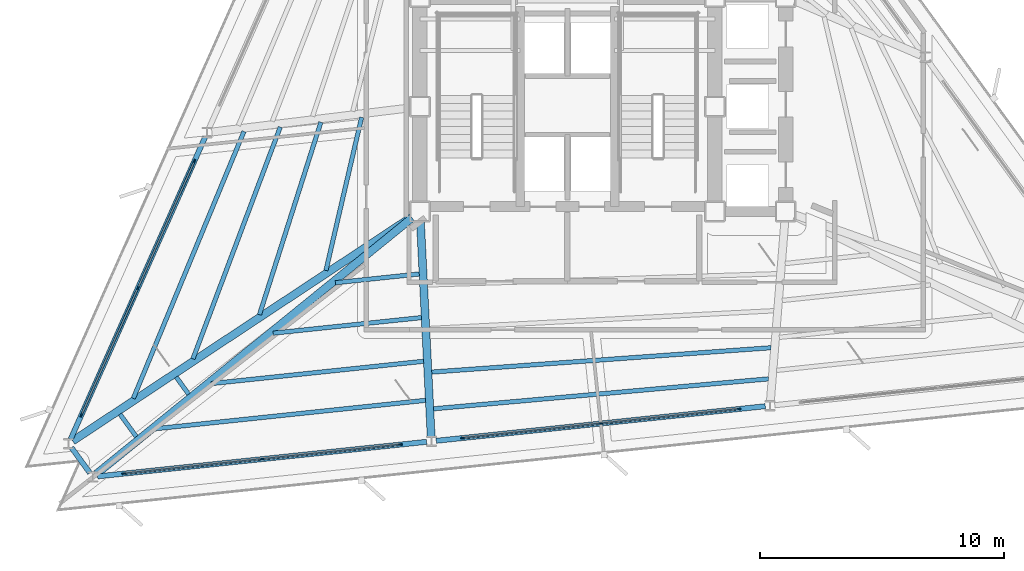
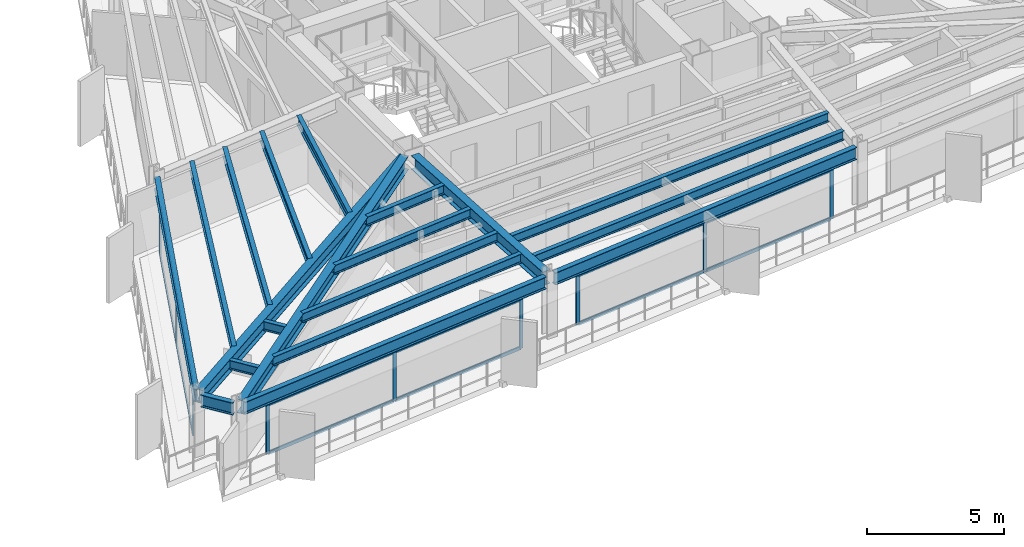
# One storey, part 2 of 12: 21 members, 19 beams, 3 elements without a shape of their own.
"""IFC4 building model written with IfcOpenShell, lengths in metres."""

from ifc_helpers import new_model, si_unit, direction, frame, origin, origin_2d, place, context, subcontext, project, spatial, rectangle, i_section, extrude, material, layer, layer_set, material_profile, profile_set, type_object, element, aggregate, save


model = new_model("IFC4")

# Units and contexts
model_context = context("Model", 3, precision=1e-05, world=origin(), true_north=direction((0.0, 1.0)))
body_context = subcontext(model_context, "Body", "Model", "MODEL_VIEW")
ifc_project = project(units=[si_unit("LENGTHUNIT", "METRE"), si_unit("AREAUNIT", "SQUARE_METRE"), si_unit("VOLUMEUNIT", "CUBIC_METRE"), si_unit("PLANEANGLEUNIT", "RADIAN"), si_unit("MASSUNIT", "GRAM", prefix="KILO")], contexts=[model_context])

# Site, building, storey
site_placement = place(None, origin())
site = spatial("IfcSite", under=ifc_project, at=site_placement, CompositionType="ELEMENT")
building_placement = place(site_placement, origin())
building = spatial("IfcBuilding", under=site, at=building_placement, Name="Rocaltana Carrier Exchange", CompositionType="ELEMENT")
storey_placement = place(building_placement, frame((0.0, 0.0, 110.719970703125)))
storey = spatial("IfcBuildingStorey", under=building, at=storey_placement, Name="L34", CompositionType="ELEMENT", Elevation=110.719970703125)

# Curtain wall, members
ifc_material_1 = material(Name="Aluminium 6063-T6", Category="aluminium")
ifc_layer = layer(ifc_material_1, 0.14990234375)
ifc_layer_set = layer_set([ifc_layer], Name="Aluminium 6063-T6")
curtain_wall_type = type_object("IfcCurtainWallType", Name="Mid-Tower Unitised Curtain Wall CW-03", PredefinedType="NOTDEFINED", material=ifc_layer_set)
curtain_wall_1_placement = place(storey_placement, origin())
curtain_wall_1 = element("IfcCurtainWall", 1, at=curtain_wall_1_placement, inside=storey, type_object=curtain_wall_type, Name="L34 CW-03 Run CW-L34-F2S3", PredefinedType="NOTDEFINED")
ifc_material_2 = material(Name="Aluminium 6063-T6", Category="aluminium")
ifc_material_profile_1 = material_profile(ifc_material_2, rectangle(XDim=0.06005859375, YDim=0.14990234375, at=origin_2d()), Name="AL-60X150")
ifc_profile_set_1 = profile_set([ifc_material_profile_1], Name="Aluminium 6063-T6")
member_type_1 = type_object("IfcMemberType", Name="CW-03 Mullion AL-60X150", PredefinedType="MULLION", material=ifc_profile_set_1)
member_1_placement = place(storey_placement, frame((-15.299560546875, -2.2333984375, 0.0), z_axis=(0.0, 0.0, 1.0), x_axis=(0.913547031517, -0.406733108077, 0.0)))
member_1 = element("IfcMember", 2, at=member_1_placement, type_object=member_type_1, Name="CW-03 mullion 1", PredefinedType="MULLION", context=body_context, shape_type="SweptSolid", body=[
    extrude(rectangle(XDim=0.06005859375, YDim=0.14990234375, at=origin_2d()), origin(), (0.0, 0.0, 1.0), 2.218017578125),
])
member_2_placement = place(storey_placement, frame((-17.619140625, -7.44384765625, 0.0), z_axis=(0.0, 0.0, 1.0), x_axis=(0.913547031517, -0.406733108077, 0.0)))
member_2 = element("IfcMember", 3, at=member_2_placement, type_object=member_type_1, Name="CW-03 mullion 2", PredefinedType="MULLION", context=body_context, shape_type="SweptSolid", body=[
    extrude(rectangle(XDim=0.06005859375, YDim=0.14990234375, at=origin_2d()), origin(), (0.0, 0.0, 1.0), 2.218017578125),
])
member_3_placement = place(storey_placement, frame((-19.93896484375, -12.654052734375, 0.0), z_axis=(0.0, 0.0, 1.0), x_axis=(0.913547031517, -0.406733108077, 0.0)))
member_3 = element("IfcMember", 4, at=member_3_placement, type_object=member_type_1, Name="CW-03 mullion 3", PredefinedType="MULLION", context=body_context, shape_type="SweptSolid", body=[
    extrude(rectangle(XDim=0.06005859375, YDim=0.14990234375, at=origin_2d()), origin(), (0.0, 0.0, 1.0), 2.218017578125),
])

curtain_wall_2_placement = place(storey_placement, origin())
curtain_wall_2 = element("IfcCurtainWall", 5, at=curtain_wall_2_placement, inside=storey, type_object=curtain_wall_type, Name="L34 CW-03 Run CW-L34-F3S1", PredefinedType="NOTDEFINED")
member_4_placement = place(storey_placement, frame((-18.196044921875, -15.052734375, 0.0), z_axis=(0.0, 0.0, 1.0), x_axis=(-0.104521806959, 0.994522594952, 0.0)))
member_4 = element("IfcMember", 6, at=member_4_placement, type_object=member_type_1, Name="CW-03 mullion 1", PredefinedType="MULLION", context=body_context, shape_type="SweptSolid", body=[
    extrude(rectangle(XDim=0.06005859375, YDim=0.14990234375, at=origin_2d()), origin(), (0.0, 0.0, 1.0), 2.218017578125),
])
member_5_placement = place(storey_placement, frame((-12.524169921875, -14.45654296875, 0.0), z_axis=(0.0, 0.0, 1.0), x_axis=(-0.104521806959, 0.994522594952, 0.0)))
member_5 = element("IfcMember", 7, at=member_5_placement, type_object=member_type_1, Name="CW-03 mullion 2", PredefinedType="MULLION", context=body_context, shape_type="SweptSolid", body=[
    extrude(rectangle(XDim=0.06005859375, YDim=0.14990234375, at=origin_2d()), origin(), (0.0, 0.0, 1.0), 2.218017578125),
])
member_6_placement = place(storey_placement, frame((-6.85205078125, -13.860595703125, 0.0), z_axis=(0.0, 0.0, 1.0), x_axis=(-0.104521806959, 0.994522594952, 0.0)))
member_6 = element("IfcMember", 8, at=member_6_placement, type_object=member_type_1, Name="CW-03 mullion 3", PredefinedType="MULLION", context=body_context, shape_type="SweptSolid", body=[
    extrude(rectangle(XDim=0.06005859375, YDim=0.14990234375, at=origin_2d()), origin(), (0.0, 0.0, 1.0), 2.218017578125),
])

curtain_wall_3_placement = place(storey_placement, origin())
curtain_wall_3 = element("IfcCurtainWall", 9, at=curtain_wall_3_placement, inside=storey, type_object=curtain_wall_type, Name="L34 CW-03 Run CW-L34-F3S2", PredefinedType="NOTDEFINED")
member_7_placement = place(storey_placement, frame((-4.30615234375, -13.5927734375, 0.0), z_axis=(0.0, 0.0, 1.0), x_axis=(-0.104529526113, 0.994521783658, 0.0)))
member_7 = element("IfcMember", 10, at=member_7_placement, type_object=member_type_1, Name="CW-03 mullion 1", PredefinedType="MULLION", context=body_context, shape_type="SweptSolid", body=[
    extrude(rectangle(XDim=0.06005859375, YDim=0.14990234375, at=origin_2d()), origin(), (0.0, 0.0, 1.0), 2.218017578125),
])
member_8_placement = place(storey_placement, frame((1.365966796875, -12.99658203125, 0.0), z_axis=(0.0, 0.0, 1.0), x_axis=(-0.104529526113, 0.994521783658, 0.0)))
member_8 = element("IfcMember", 11, at=member_8_placement, type_object=member_type_1, Name="CW-03 mullion 2", PredefinedType="MULLION", context=body_context, shape_type="SweptSolid", body=[
    extrude(rectangle(XDim=0.06005859375, YDim=0.14990234375, at=origin_2d()), origin(), (0.0, 0.0, 1.0), 2.218017578125),
])
member_9_placement = place(storey_placement, frame((7.0380859375, -12.400634765625, 0.0), z_axis=(0.0, 0.0, 1.0), x_axis=(-0.104529526113, 0.994521783658, 0.0)))
member_9 = element("IfcMember", 12, at=member_9_placement, type_object=member_type_1, Name="CW-03 mullion 3", PredefinedType="MULLION", context=body_context, shape_type="SweptSolid", body=[
    extrude(rectangle(XDim=0.06005859375, YDim=0.14990234375, at=origin_2d()), origin(), (0.0, 0.0, 1.0), 2.218017578125),
])

# Member
ifc_material_3 = material(Name="Aluminium 6063-T6", Category="aluminium")
ifc_material_profile_2 = material_profile(ifc_material_3, rectangle(XDim=0.06005859375, YDim=0.14990234375, at=origin_2d()), Name="AL-60X150")
ifc_profile_set_2 = profile_set([ifc_material_profile_2], Name="Aluminium 6063-T6")
member_type_2 = type_object("IfcMemberType", Name="CW-03 Transom AL-60X150", PredefinedType="USERDEFINED", material=ifc_profile_set_2)
member_10_placement = place(storey_placement, frame((-15.311767578125, -2.260986328125, 0.030029296875), z_axis=(-0.406704359788, -0.913559830405, 0.0), x_axis=(0.913559830405, -0.406704359788, 0.0)))
member_10 = element("IfcMember", 13, at=member_10_placement, type_object=member_type_2, Name="CW-03 transom 1.1", ObjectType="TRANSOM", PredefinedType="USERDEFINED", context=body_context, shape_type="SweptSolid", body=[
    extrude(rectangle(XDim=0.06005859375, YDim=0.14990234375, at=origin_2d()), origin(), (0.0, 0.0, 1.0), 5.643310546875),
])

member_11_placement = place(storey_placement, frame((-15.311767578125, -2.260986328125, 2.18798828125), z_axis=(-0.406704359788, -0.913559830405, 0.0), x_axis=(0.913559830405, -0.406704359788, 0.0)))
member_11 = element("IfcMember", 14, at=member_11_placement, type_object=member_type_2, Name="CW-03 transom 1.2", ObjectType="TRANSOM", PredefinedType="USERDEFINED", context=body_context, shape_type="SweptSolid", body=[
    extrude(rectangle(XDim=0.06005859375, YDim=0.14990234375, at=origin_2d()), origin(), (0.0, 0.0, 1.0), 5.643310546875),
])

member_12_placement = place(storey_placement, frame((-17.63134765625, -7.47119140625, 0.030029296875), z_axis=(-0.406740464784, -0.913543756099, 0.0), x_axis=(0.913543756099, -0.406740464784, 0.0)))
member_12 = element("IfcMember", 15, at=member_12_placement, type_object=member_type_2, Name="CW-03 transom 2.1", ObjectType="TRANSOM", PredefinedType="USERDEFINED", context=body_context, shape_type="SweptSolid", body=[
    extrude(rectangle(XDim=0.06005859375, YDim=0.14990234375, at=origin_2d()), origin(), (0.0, 0.0, 1.0), 5.643310546875),
])

member_13_placement = place(storey_placement, frame((-17.63134765625, -7.47119140625, 2.18798828125), z_axis=(-0.406740464784, -0.913543756099, 0.0), x_axis=(0.913543756099, -0.406740464784, 0.0)))
member_13 = element("IfcMember", 16, at=member_13_placement, type_object=member_type_2, Name="CW-03 transom 2.2", ObjectType="TRANSOM", PredefinedType="USERDEFINED", context=body_context, shape_type="SweptSolid", body=[
    extrude(rectangle(XDim=0.06005859375, YDim=0.14990234375, at=origin_2d()), origin(), (0.0, 0.0, 1.0), 5.643310546875),
])

aggregate(curtain_wall_1, [member_1, member_2, member_3, member_10, member_11, member_12, member_13])

member_14_placement = place(storey_placement, frame((-18.166259765625, -15.049560546875, 0.030029296875), z_axis=(0.99452250772, 0.104522636969, 0.0), x_axis=(-0.104522636969, 0.99452250772, 0.0)))
member_14 = element("IfcMember", 17, at=member_14_placement, type_object=member_type_2, Name="CW-03 transom 1.1", ObjectType="TRANSOM", PredefinedType="USERDEFINED", context=body_context, shape_type="SweptSolid", body=[
    extrude(rectangle(XDim=0.06005859375, YDim=0.14990234375, at=origin_2d()), origin(), (0.0, 0.0, 1.0), 5.643310546875),
])

member_15_placement = place(storey_placement, frame((-18.166259765625, -15.049560546875, 2.18798828125), z_axis=(0.99452250772, 0.104522636969, 0.0), x_axis=(-0.104522636969, 0.99452250772, 0.0)))
member_15 = element("IfcMember", 18, at=member_15_placement, type_object=member_type_2, Name="CW-03 transom 1.2", ObjectType="TRANSOM", PredefinedType="USERDEFINED", context=body_context, shape_type="SweptSolid", body=[
    extrude(rectangle(XDim=0.06005859375, YDim=0.14990234375, at=origin_2d()), origin(), (0.0, 0.0, 1.0), 5.643310546875),
])

member_16_placement = place(storey_placement, frame((-12.494384765625, -14.45361328125, 0.030029296875), z_axis=(0.99452250772, 0.104522636969, 0.0), x_axis=(-0.104522636969, 0.99452250772, 0.0)))
member_16 = element("IfcMember", 19, at=member_16_placement, type_object=member_type_2, Name="CW-03 transom 2.1", ObjectType="TRANSOM", PredefinedType="USERDEFINED", context=body_context, shape_type="SweptSolid", body=[
    extrude(rectangle(XDim=0.06005859375, YDim=0.14990234375, at=origin_2d()), origin(), (0.0, 0.0, 1.0), 5.643310546875),
])

member_17_placement = place(storey_placement, frame((-12.494384765625, -14.45361328125, 2.18798828125), z_axis=(0.99452250772, 0.104522636969, 0.0), x_axis=(-0.104522636969, 0.99452250772, 0.0)))
member_17 = element("IfcMember", 20, at=member_17_placement, type_object=member_type_2, Name="CW-03 transom 2.2", ObjectType="TRANSOM", PredefinedType="USERDEFINED", context=body_context, shape_type="SweptSolid", body=[
    extrude(rectangle(XDim=0.06005859375, YDim=0.14990234375, at=origin_2d()), origin(), (0.0, 0.0, 1.0), 5.643310546875),
])

aggregate(curtain_wall_2, [member_4, member_5, member_6, member_14, member_15, member_16, member_17])

member_18_placement = place(storey_placement, frame((-4.276123046875, -13.58984375, 0.030029296875), z_axis=(0.994518009659, 0.104565426716, 0.0), x_axis=(-0.104565426716, 0.994518009659, 0.0)))
member_18 = element("IfcMember", 21, at=member_18_placement, type_object=member_type_2, Name="CW-03 transom 1.1", ObjectType="TRANSOM", PredefinedType="USERDEFINED", context=body_context, shape_type="SweptSolid", body=[
    extrude(rectangle(XDim=0.06005859375, YDim=0.14990234375, at=origin_2d()), origin(), (0.0, 0.0, 1.0), 5.643310546875),
])

member_19_placement = place(storey_placement, frame((-4.276123046875, -13.58984375, 2.18798828125), z_axis=(0.994518009659, 0.104565426716, 0.0), x_axis=(-0.104565426716, 0.994518009659, 0.0)))
member_19 = element("IfcMember", 22, at=member_19_placement, type_object=member_type_2, Name="CW-03 transom 1.2", ObjectType="TRANSOM", PredefinedType="USERDEFINED", context=body_context, shape_type="SweptSolid", body=[
    extrude(rectangle(XDim=0.06005859375, YDim=0.14990234375, at=origin_2d()), origin(), (0.0, 0.0, 1.0), 5.643310546875),
])

member_20_placement = place(storey_placement, frame((1.395751953125, -12.99365234375, 0.030029296875), z_axis=(0.994518482657, 0.104560927947, 0.0), x_axis=(-0.104560927947, 0.994518482657, 0.0)))
member_20 = element("IfcMember", 23, at=member_20_placement, type_object=member_type_2, Name="CW-03 transom 2.1", ObjectType="TRANSOM", PredefinedType="USERDEFINED", context=body_context, shape_type="SweptSolid", body=[
    extrude(rectangle(XDim=0.06005859375, YDim=0.14990234375, at=origin_2d()), origin(), (0.0, 0.0, 1.0), 5.6435546875),
])

member_21_placement = place(storey_placement, frame((1.395751953125, -12.99365234375, 2.18798828125), z_axis=(0.994518482657, 0.104560927947, 0.0), x_axis=(-0.104560927947, 0.994518482657, 0.0)))
member_21 = element("IfcMember", 24, at=member_21_placement, type_object=member_type_2, Name="CW-03 transom 2.2", ObjectType="TRANSOM", PredefinedType="USERDEFINED", context=body_context, shape_type="SweptSolid", body=[
    extrude(rectangle(XDim=0.06005859375, YDim=0.14990234375, at=origin_2d()), origin(), (0.0, 0.0, 1.0), 5.6435546875),
])

aggregate(curtain_wall_3, [member_7, member_8, member_9, member_18, member_19, member_20, member_21])

# Beams
ifc_material_4 = material(Name="Steel S355", Category="steel")
ifc_material_profile_3 = material_profile(ifc_material_4, i_section(OverallWidth=0.179931640625, OverallDepth=0.4130859375, WebThickness=0.009765625, FlangeThickness=0.01611328125, FilletRadius=0.012939453125, at=origin_2d()), Name="W16X50")
ifc_profile_set_3 = profile_set([ifc_material_profile_3], Name="Steel S355")
beam_type_1 = type_object("IfcBeamType", Name="Floor Joist W16X50", PredefinedType="JOIST", material=ifc_profile_set_3)
beam_1_placement = place(storey_placement, frame((-8.442138671875, -0.439208984375, 2.58154296875), z_axis=(-0.22689687838, -0.973918788494, 0.0), x_axis=(0.973918788494, -0.22689687838, 0.0)))
element("IfcBeam", 25, at=beam_1_placement, inside=storey, type_object=beam_type_1, Name="FJ-L34-07-1", PredefinedType="JOIST", context=body_context, shape_type="SweptSolid", body=[
    extrude(i_section(OverallWidth=0.179931640625, OverallDepth=0.4130859375, WebThickness=0.009765625, FlangeThickness=0.01611328125, FilletRadius=0.012939453125, at=origin_2d()), origin(), (0.0, 0.0, 1.0), 6.448486328125),
])
beam_2_placement = place(storey_placement, frame((-10.11279296875, -0.63818359375, 2.58154296875), z_axis=(-0.303932068728, -0.952693706077, 0.0), x_axis=(0.952693706077, -0.303932068728, 0.0)))
element("IfcBeam", 26, at=beam_2_placement, inside=storey, type_object=beam_type_1, Name="FJ-L34-07-2", PredefinedType="JOIST", context=body_context, shape_type="SweptSolid", body=[
    extrude(i_section(OverallWidth=0.179931640625, OverallDepth=0.4130859375, WebThickness=0.009765625, FlangeThickness=0.01611328125, FilletRadius=0.012939453125, at=origin_2d()), origin(), (0.0, 0.0, 1.0), 8.285888671875),
])
beam_3_placement = place(storey_placement, frame((-11.77880859375, -0.837646484375, 2.58154296875), z_axis=(-0.352616248734, -0.935768016727, 0.0), x_axis=(0.935768016727, -0.352616248734, 0.0)))
element("IfcBeam", 27, at=beam_3_placement, inside=storey, type_object=beam_type_1, Name="FJ-L34-07-3", PredefinedType="JOIST", context=body_context, shape_type="SweptSolid", body=[
    extrude(i_section(OverallWidth=0.179931640625, OverallDepth=0.4130859375, WebThickness=0.009765625, FlangeThickness=0.01611328125, FilletRadius=0.012939453125, at=origin_2d()), origin(), (0.0, 0.0, 1.0), 10.1591796875),
])
beam_4_placement = place(storey_placement, frame((-13.267333984375, -1.016845703125, 2.58154296875), z_axis=(-0.382964861888, -0.923762910361, 0.0), x_axis=(0.923762910361, -0.382964861888, 0.0)))
element("IfcBeam", 28, at=beam_4_placement, inside=storey, type_object=beam_type_1, Name="FJ-L34-07-4", PredefinedType="JOIST", context=body_context, shape_type="SweptSolid", body=[
    extrude(i_section(OverallWidth=0.179931640625, OverallDepth=0.4130859375, WebThickness=0.009765625, FlangeThickness=0.01611328125, FilletRadius=0.012939453125, at=origin_2d()), origin(), (0.0, 0.0, 1.0), 11.851806640625),
])
beam_5_placement = place(storey_placement, frame((-16.044921875, -11.092529296875, 2.58154296875), z_axis=(0.587636081789, -0.80912535208, 0.0), x_axis=(0.80912535208, 0.587636081789, 0.0)))
element("IfcBeam", 29, at=beam_5_placement, inside=storey, type_object=beam_type_1, Name="FJ-L34-08-3", PredefinedType="JOIST", context=body_context, shape_type="SweptSolid", body=[
    extrude(i_section(OverallWidth=0.179931640625, OverallDepth=0.4130859375, WebThickness=0.009765625, FlangeThickness=0.01611328125, FilletRadius=0.012939453125, at=origin_2d()), origin(), (0.0, 0.0, 1.0), 0.867431640625),
])
beam_6_placement = place(storey_placement, frame((-18.3505859375, -12.6162109375, 2.58154296875), z_axis=(0.587737652756, -0.809051575323, 0.0), x_axis=(0.809051575323, 0.587737652756, 0.0)))
element("IfcBeam", 30, at=beam_6_placement, inside=storey, type_object=beam_type_1, Name="FJ-L34-08-4", PredefinedType="JOIST", context=body_context, shape_type="SweptSolid", body=[
    extrude(i_section(OverallWidth=0.179931640625, OverallDepth=0.4130859375, WebThickness=0.009765625, FlangeThickness=0.01611328125, FilletRadius=0.012939453125, at=origin_2d()), origin(), (0.0, 0.0, 1.0), 1.137451171875),
])
beam_7_placement = place(storey_placement, frame((-9.51806640625, -7.22314453125, 2.58154296875), z_axis=(0.994522069836, 0.104526803309, 0.0), x_axis=(-0.104526803309, 0.994522069836, 0.0)))
element("IfcBeam", 31, at=beam_7_placement, inside=storey, type_object=beam_type_1, Name="FJ-L34-09-1", PredefinedType="JOIST", context=body_context, shape_type="SweptSolid", body=[
    extrude(i_section(OverallWidth=0.179931640625, OverallDepth=0.4130859375, WebThickness=0.009765625, FlangeThickness=0.01611328125, FilletRadius=0.012939453125, at=origin_2d()), origin(), (0.0, 0.0, 1.0), 3.459228515625),
])
beam_8_placement = place(storey_placement, frame((-12.067626953125, -9.29150390625, 2.58154296875), z_axis=(0.994522291709, 0.104524692265, 0.0), x_axis=(-0.104524692265, 0.994522291709, 0.0)))
element("IfcBeam", 32, at=beam_8_placement, inside=storey, type_object=beam_type_1, Name="FJ-L34-09-2", PredefinedType="JOIST", context=body_context, shape_type="SweptSolid", body=[
    extrude(i_section(OverallWidth=0.179931640625, OverallDepth=0.4130859375, WebThickness=0.009765625, FlangeThickness=0.01611328125, FilletRadius=0.012939453125, at=origin_2d()), origin(), (0.0, 0.0, 1.0), 6.112548828125),
])
beam_9_placement = place(storey_placement, frame((-14.6171875, -11.360107421875, 2.58154296875), z_axis=(0.994519483766, 0.104551405586, 0.0), x_axis=(-0.104551405586, 0.994519483766, 0.0)))
element("IfcBeam", 33, at=beam_9_placement, inside=storey, type_object=beam_type_1, Name="FJ-L34-09-3", PredefinedType="JOIST", context=body_context, shape_type="SweptSolid", body=[
    extrude(i_section(OverallWidth=0.179931640625, OverallDepth=0.4130859375, WebThickness=0.009765625, FlangeThickness=0.01611328125, FilletRadius=0.012939453125, at=origin_2d()), origin(), (0.0, 0.0, 1.0), 8.76611328125),
])
beam_10_placement = place(storey_placement, frame((-16.898681640625, -13.210693359375, 2.58154296875), z_axis=(0.994521531783, 0.104531922494, 0.0), x_axis=(-0.104531922494, 0.994521531783, 0.0)))
element("IfcBeam", 34, at=beam_10_placement, inside=storey, type_object=beam_type_1, Name="FJ-L34-09-4", PredefinedType="JOIST", context=body_context, shape_type="SweptSolid", body=[
    extrude(i_section(OverallWidth=0.179931640625, OverallDepth=0.4130859375, WebThickness=0.009765625, FlangeThickness=0.01611328125, FilletRadius=0.012939453125, at=origin_2d()), origin(), (0.0, 0.0, 1.0), 11.140625),
])
beam_11_placement = place(storey_placement, frame((-5.564697265625, -10.887451171875, 2.58154296875), z_axis=(0.99742902588, 0.071661274976, 0.0), x_axis=(-0.071661274976, 0.99742902588, 0.0)))
element("IfcBeam", 35, at=beam_11_placement, inside=storey, type_object=beam_type_1, Name="FJ-L34-10-3", PredefinedType="JOIST", context=body_context, shape_type="SweptSolid", body=[
    extrude(i_section(OverallWidth=0.179931640625, OverallDepth=0.4130859375, WebThickness=0.009765625, FlangeThickness=0.01611328125, FilletRadius=0.012939453125, at=origin_2d()), origin(), (0.0, 0.0, 1.0), 13.94775390625),
])
beam_12_placement = place(storey_placement, frame((-5.489501953125, -12.39306640625, 2.58154296875), z_axis=(0.996028205835, 0.089038268076, 0.0), x_axis=(-0.089038268076, 0.996028205835, 0.0)))
element("IfcBeam", 36, at=beam_12_placement, inside=storey, type_object=beam_type_1, Name="FJ-L34-10-4", PredefinedType="JOIST", context=body_context, shape_type="SweptSolid", body=[
    extrude(i_section(OverallWidth=0.179931640625, OverallDepth=0.4130859375, WebThickness=0.009765625, FlangeThickness=0.01611328125, FilletRadius=0.012939453125, at=origin_2d()), origin(), (0.0, 0.0, 1.0), 13.789306640625),
])
ifc_material_5 = material(Name="Steel S355", Category="steel")
ifc_material_profile_4 = material_profile(ifc_material_5, i_section(OverallWidth=0.323974609375, OverallDepth=0.611083984375, WebThickness=0.0126953125, FlangeThickness=0.01904296875, FilletRadius=0.01611328125, at=origin_2d()), Name="W24X104")
ifc_profile_set_4 = profile_set([ifc_material_profile_4], Name="Steel S355")
beam_type_2 = type_object("IfcBeamType", Name="Radial Girder W24X104", PredefinedType="BEAM", material=ifc_profile_set_4)
beam_13_placement = place(storey_placement, frame((-6.39794921875, -4.52978515625, 2.482421875), z_axis=(-0.83426019766, -0.551370948274, 0.0), x_axis=(0.551370948274, -0.83426019766, 0.0)))
element("IfcBeam", 37, at=beam_13_placement, inside=storey, type_object=beam_type_2, Name="RG-L34-08", PredefinedType="BEAM", context=body_context, shape_type="SweptSolid", body=[
    extrude(i_section(OverallWidth=0.323974609375, OverallDepth=0.611083984375, WebThickness=0.0126953125, FlangeThickness=0.01904296875, FilletRadius=0.01611328125, at=origin_2d()), origin(), (0.0, 0.0, 1.0), 16.6572265625),
])
beam_14_placement = place(storey_placement, frame((-6.373779296875, -4.562744140625, 2.482421875), z_axis=(-0.776578485368, -0.630020520351, 0.0), x_axis=(0.630020520351, -0.776578485368, 0.0)))
element("IfcBeam", 38, at=beam_14_placement, inside=storey, type_object=beam_type_2, Name="RG-L34-09", PredefinedType="BEAM", context=body_context, shape_type="SweptSolid", body=[
    extrude(i_section(OverallWidth=0.323974609375, OverallDepth=0.611083984375, WebThickness=0.0126953125, FlangeThickness=0.01904296875, FilletRadius=0.01611328125, at=origin_2d()), origin(), (0.0, 0.0, 1.0), 16.6650390625),
])
beam_15_placement = place(storey_placement, frame((-6.029296875, -4.716552734375, 2.482421875), z_axis=(0.049889314845, -0.998754752812, 0.0), x_axis=(0.998754752812, 0.049889314845, 0.0)))
element("IfcBeam", 39, at=beam_15_placement, inside=storey, type_object=beam_type_2, Name="RG-L34-10", PredefinedType="BEAM", context=body_context, shape_type="SweptSolid", body=[
    extrude(i_section(OverallWidth=0.323974609375, OverallDepth=0.611083984375, WebThickness=0.0126953125, FlangeThickness=0.01904296875, FilletRadius=0.01611328125, at=origin_2d()), origin(), (0.0, 0.0, 1.0), 8.8232421875),
])
ifc_material_6 = material(Name="Steel S355", Category="steel")
ifc_material_profile_5 = material_profile(ifc_material_6, i_section(OverallWidth=0.2119140625, OverallDepth=0.5439453125, WebThickness=0.01318359375, FlangeThickness=0.021240234375, FilletRadius=0.014892578125, at=origin_2d()), Name="W21X83")
ifc_profile_set_5 = profile_set([ifc_material_profile_5], Name="Steel S355")
beam_type_3 = type_object("IfcBeamType", Name="Spandrel Edge Beam W21X83", PredefinedType="SPANDREL", material=ifc_profile_set_5)
beam_16_placement = place(storey_placement, frame((-14.859375, -1.2451171875, 2.51611328125), z_axis=(-0.406740957499, -0.913543536725, 0.0), x_axis=(0.913543536725, -0.406740957499, 0.0)))
element("IfcBeam", 40, at=beam_16_placement, inside=storey, type_object=beam_type_3, Name="SP-L34-07", PredefinedType="SPANDREL", context=body_context, shape_type="SweptSolid", body=[
    extrude(i_section(OverallWidth=0.2119140625, OverallDepth=0.5439453125, WebThickness=0.01318359375, FlangeThickness=0.021240234375, FilletRadius=0.014892578125, at=origin_2d()), origin(), (0.0, 0.0, 1.0), 13.57080078125),
])
beam_17_placement = place(storey_placement, frame((-20.34326171875, -13.983642578125, 2.51611328125), z_axis=(0.58777742462, -0.809022681454, 0.0), x_axis=(0.809022681454, 0.58777742462, 0.0)))
element("IfcBeam", 41, at=beam_17_placement, inside=storey, type_object=beam_type_3, Name="SP-L34-08", PredefinedType="SPANDREL", context=body_context, shape_type="SweptSolid", body=[
    extrude(i_section(OverallWidth=0.2119140625, OverallDepth=0.5439453125, WebThickness=0.01318359375, FlangeThickness=0.021240234375, FilletRadius=0.014892578125, at=origin_2d()), origin(), (0.0, 0.0, 1.0), 1.288818359375),
])
for number, where, z_axis, x_axis, name in (
    (42, (-19.272216796875, -15.166015625, 2.51611328125), (0.99452052486, 0.104541501962, 0.0), (-0.104541501962, 0.99452052486, 0.0), "SP-L34-09"),
    (43, (-5.382080078125, -13.7060546875, 2.51611328125), (0.99452052486, 0.104541501962, 0.0), (-0.104541501962, 0.99452052486, 0.0), "SP-L34-10"),
):
    element("IfcBeam", number, at=place(storey_placement, frame(where, z_axis=z_axis, x_axis=x_axis)), inside=storey, type_object=beam_type_3, Name=name, PredefinedType="SPANDREL", context=body_context, shape_type="SweptSolid", body=[
        extrude(i_section(OverallWidth=0.2119140625, OverallDepth=0.5439453125, WebThickness=0.01318359375, FlangeThickness=0.021240234375, FilletRadius=0.014892578125, at=origin_2d()), origin(), (0.0, 0.0, 1.0), 13.57080078125),
    ])

save(model, "model.ifc")
